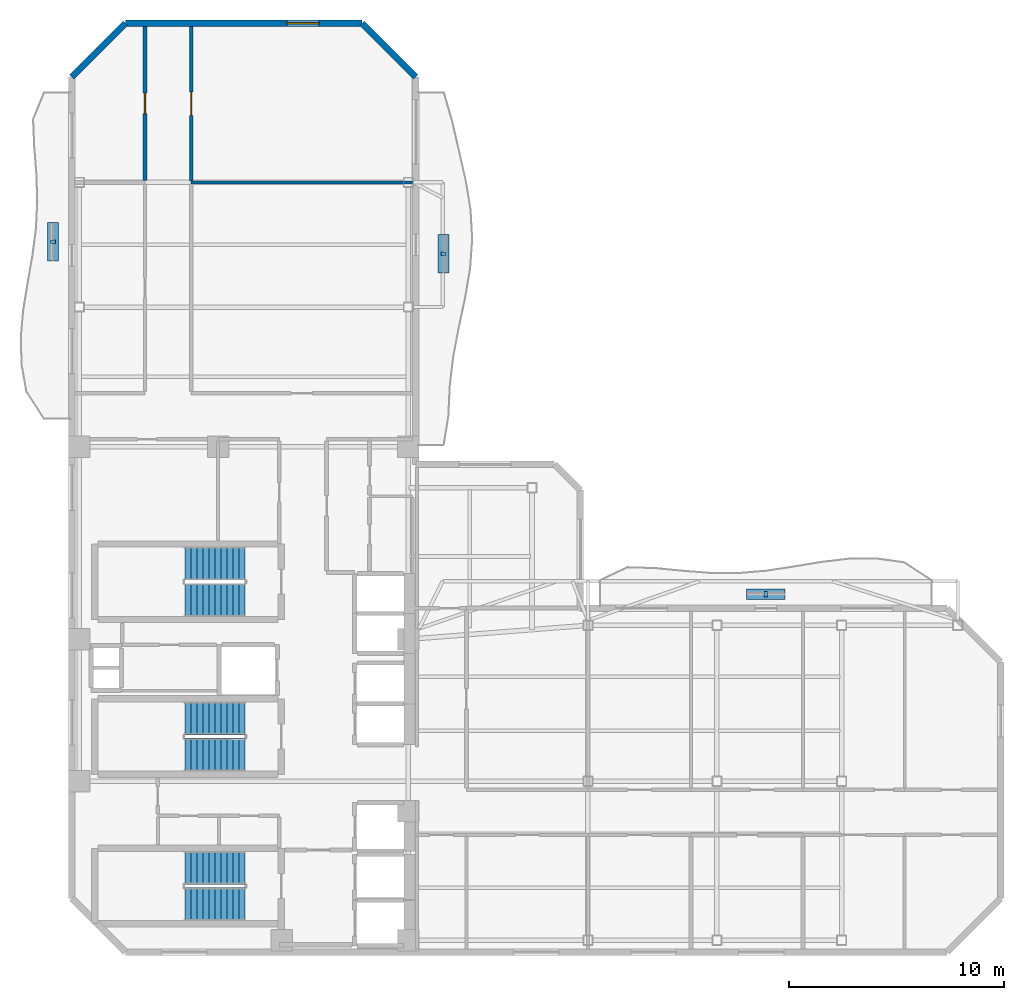
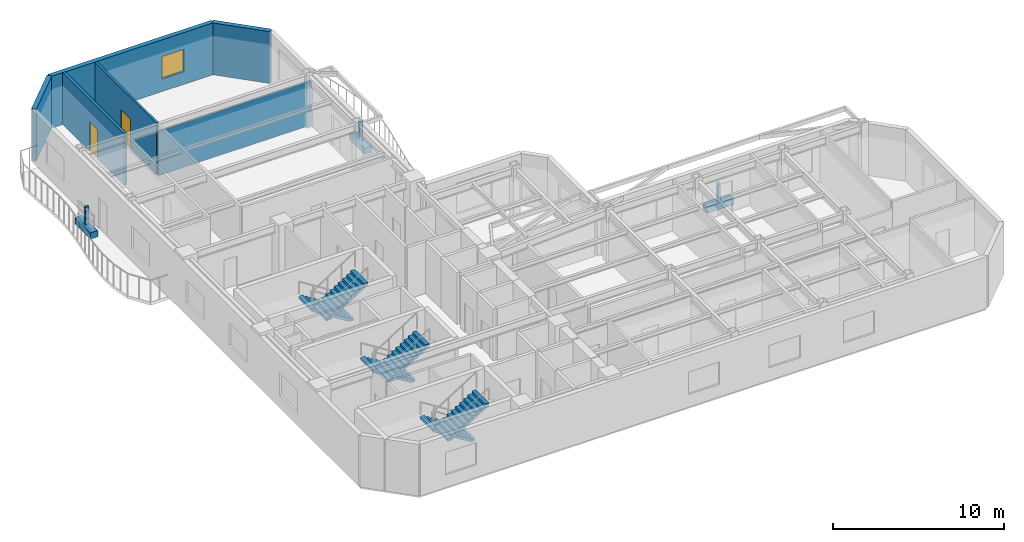
# One storey, part 6 of 9: 6 discrete accessories, 6 stair flights, 6 walls, 2 doors, 1 window, 3 openings, 3 elements without a shape of their own.
"""IFC4 building model written with IfcOpenShell, lengths in metres."""

from ifc_helpers import new_model, si_unit, direction, frame, frame_2d, origin, origin_2d, place, context, subcontext, project, spatial, polyline, rectangle, outline, extrude, material, layer, layer_set, type_object, element, fill, aggregate, save


model = new_model("IFC4")

# Units and contexts
model_context = context("Model", 3, precision=1e-05, world=origin(), true_north=direction((0.0, 1.0)))
body_context = subcontext(model_context, "Body", "Model", "MODEL_VIEW")
ifc_project = project(units=[si_unit("LENGTHUNIT", "METRE"), si_unit("AREAUNIT", "SQUARE_METRE"), si_unit("VOLUMEUNIT", "CUBIC_METRE"), si_unit("PLANEANGLEUNIT", "RADIAN"), si_unit("MASSUNIT", "GRAM", prefix="KILO")], contexts=[model_context])

# Site, building, storey
site_placement = place(None, origin())
site = spatial("IfcSite", under=ifc_project, at=site_placement, CompositionType="ELEMENT")
building_placement = place(site_placement, origin())
building = spatial("IfcBuilding", under=site, at=building_placement, Name="Mawjaban Terraces University", CompositionType="ELEMENT")
storey_placement = place(building_placement, frame((0.0, 0.0, 210.89990234375)))
storey = spatial("IfcBuildingStorey", under=building, at=storey_placement, Name="L51", CompositionType="ELEMENT", Elevation=210.89990234375)

# Wall, opening, door
ifc_material_1 = material(Name="Acoustic masonry blockwork", Category="masonry")
ifc_layer_1 = layer(ifc_material_1, 0.179931640625)
ifc_layer_set_1 = layer_set([ifc_layer_1], Name="Acoustic masonry blockwork")
wall_type_1 = type_object("IfcWallType", Name="AcousticStudioWall_180", PredefinedType="PARTITIONING", material=ifc_layer_set_1)
wall_1_placement = place(storey_placement, frame((25.39990234375, 43.054931640625, 0.0), z_axis=(0.0, 0.0, 1.0), x_axis=(0.0, -1.0, 0.0)))
wall_1 = element("IfcWall", 1, at=wall_1_placement, inside=storey, type_object=wall_type_1, Name="L51 West Shifted Academic Corridor Partition 32", PredefinedType="PARTITIONING", context=body_context, shape_type="SweptSolid", body=[
    extrude(rectangle(XDim=7.169921875, YDim=0.179931640625, at=frame_2d((3.5849609375, 0.0))), origin(), (0.0, 0.0, 1.0), 3.690185546875),
])
opening_1_placement = place(wall_1_placement, frame((3.110107421875, 0.0, 0.0)))
opening_1 = element("IfcOpeningElement", 2, at=opening_1_placement, cuts=wall_1, Name="Opening ID-095", PredefinedType="OPENING", context=body_context, shape_type="SweptSolid", body=[
    extrude(rectangle(XDim=0.949951171875, YDim=2.10009765625, at=frame_2d((0.47509765625, 1.050048828125))), frame((0.0, 0.099853515625, 0.0), z_axis=(0.0, -1.0, 0.0), x_axis=(1.0, 0.0, 0.0)), (0.0, 0.0, 1.0), 0.199951171875),
])
ifc_material_2 = material(Name="Powder-coated steel frame and solid acoustic timber leaf", Category="steel")
door_type_1 = type_object("IfcDoorType", Name="StudioDoor_950x2100", OperationType="NOTDEFINED", PredefinedType="DOOR", material=ifc_material_2)
door_1_placement = place(opening_1_placement, origin())
door_1 = element("IfcDoor", 3, at=door_1_placement, inside=storey, type_object=door_type_1, Name="L51 Design Studio 14 Door", OperationType="SINGLE_SWING_RIGHT", OverallHeight=2.10009765625, OverallWidth=0.949951171875, PredefinedType="DOOR", context=body_context, shape_type="SweptSolid", body=[
    extrude(rectangle(XDim=0.949951171875, YDim=2.10009765625, at=frame_2d((0.47509765625, 1.050048828125))), frame((0.0, 0.02490234375, 0.0), z_axis=(0.0, -1.0, 0.0), x_axis=(1.0, 0.0, 0.0)), (0.0, 0.0, 1.0), 0.050048828125),
])
fill(opening_1, door_1)

# Wall
ifc_material_3 = material(Name="Insulated terracotta rainscreen on concrete backup C40/50", Category="masonry")
ifc_layer_2 = layer(ifc_material_3, 0.300048828125)
ifc_layer_set_2 = layer_set([ifc_layer_2], Name="Insulated terracotta rainscreen on concrete backup C40/50")
wall_type_2 = type_object("IfcWallType", Name="ExtTerracottaWall_300", PredefinedType="SOLIDWALL", material=ifc_layer_set_2)
wall_2_placement = place(storey_placement, frame((38.0, 40.699951171875, 0.0), z_axis=(0.0, 0.0, 1.0), x_axis=(-0.707106781187, 0.707106781187, 0.0)))
element("IfcWall", 4, at=wall_2_placement, inside=storey, type_object=wall_type_2, Name="L51 Exterior Terracotta Wall 10", PredefinedType="SOLIDWALL", context=body_context, shape_type="SweptSolid", body=[
    extrude(rectangle(XDim=3.53564453125, YDim=0.300048828125, at=frame_2d((1.767822265625, 0.0))), origin(), (0.0, 0.0, 1.0), 3.690185546875),
])

# Wall, opening, window
wall_3_placement = place(storey_placement, frame((35.5, 43.199951171875, 0.0), z_axis=(0.0, 0.0, 1.0), x_axis=(-1.0, 0.0, 0.0)))
wall_3 = element("IfcWall", 5, at=wall_3_placement, inside=storey, type_object=wall_type_2, Name="L51 Exterior Terracotta Wall 11", PredefinedType="SOLIDWALL", context=body_context, shape_type="SweptSolid", body=[
    extrude(rectangle(XDim=11.0, YDim=0.300048828125, at=frame_2d((5.5, 0.0))), origin(), (0.0, 0.0, 1.0), 3.690185546875),
])
opening_2_placement = place(wall_3_placement, frame((2.0, 0.0, 0.89990234375)))
opening_2 = element("IfcOpeningElement", 6, at=opening_2_placement, cuts=wall_3, Name="Opening W-02", PredefinedType="OPENING", context=body_context, shape_type="SweptSolid", body=[
    extrude(rectangle(XDim=1.5, YDim=1.60009765625, at=frame_2d((0.75, 0.800048828125))), frame((0.0, 0.159912109375, 0.0), z_axis=(0.0, -1.0, 0.0), x_axis=(1.0, 0.0, 0.0)), (0.0, 0.0, 1.0), 0.320068359375),
])
ifc_material_4 = material(Name="Low-E solar-control double glazing in thermally broken aluminium frame", Category="aluminium")
window_type = type_object("IfcWindowType", Name="Win_1500x1600", PartitioningType="SINGLE_PANEL", PredefinedType="WINDOW", material=ifc_material_4)
window_placement = place(opening_2_placement, origin())
window = element("IfcWindow", 7, at=window_placement, inside=storey, type_object=window_type, Name="L51 Facade Window 11.1", OverallHeight=1.60009765625, OverallWidth=1.5, PartitioningType="SINGLE_PANEL", PredefinedType="WINDOW", context=body_context, shape_type="SweptSolid", body=[
    extrude(rectangle(XDim=1.5, YDim=1.60009765625, at=frame_2d((0.75, 0.800048828125))), frame((0.0, 0.030029296875, 0.0), z_axis=(0.0, -1.0, 0.0), x_axis=(1.0, 0.0, 0.0)), (0.0, 0.0, 1.0), 0.06005859375),
])
fill(opening_2, window)

# Walls
wall_4_placement = place(storey_placement, frame((24.5, 43.199951171875, 0.0), z_axis=(0.0, 0.0, 1.0), x_axis=(-0.707106781187, -0.707106781187, 0.0)))
element("IfcWall", 8, at=wall_4_placement, inside=storey, type_object=wall_type_2, Name="L51 Exterior Terracotta Wall 12", PredefinedType="SOLIDWALL", context=body_context, shape_type="SweptSolid", body=[
    extrude(rectangle(XDim=3.53564453125, YDim=0.300048828125, at=frame_2d((1.767822265625, 0.0))), origin(), (0.0, 0.0, 1.0), 3.690185546875),
])
ifc_material_5 = material(Name="Moisture-resistant gypsum board on steel stud", Category="steel")
ifc_layer_3 = layer(ifc_material_5, 0.14501953125)
ifc_layer_set_3 = layer_set([ifc_layer_3], Name="Moisture-resistant gypsum board on steel stud")
wall_type_3 = type_object("IfcWallType", Name="LabPartition_145", PredefinedType="PARTITIONING", material=ifc_layer_set_3)
wall_5_placement = place(storey_placement, frame((37.85009765625, 35.800048828125, 0.0), z_axis=(0.0, 0.0, 1.0), x_axis=(-1.0, 0.0, 0.0)))
element("IfcWall", 9, at=wall_5_placement, inside=storey, type_object=wall_type_3, Name="L51 Classroom 13 Partition 16", PredefinedType="PARTITIONING", context=body_context, shape_type="SweptSolid", body=[
    extrude(rectangle(XDim=10.300048828125, YDim=0.14501953125, at=frame_2d((5.14990234375, 0.0))), origin(), (0.0, 0.0, 1.0), 3.14599609375),
])

# Wall, opening, door
wall_6_placement = place(storey_placement, frame((27.550048828125, 35.866943359375, 0.0), z_axis=(0.0, 0.0, 1.0), x_axis=(0.0, 1.0, 0.0)))
wall_6 = element("IfcWall", 10, at=wall_6_placement, inside=storey, type_object=wall_type_3, Name="L51 West Shifted Academic Corridor Partition 36", PredefinedType="PARTITIONING", context=body_context, shape_type="SweptSolid", body=[
    extrude(rectangle(XDim=7.18798828125, YDim=0.14501953125, at=frame_2d((3.593994140625, 0.0))), origin(), (0.0, 0.0, 1.0), 3.690185546875),
])
opening_3_placement = place(wall_6_placement, frame((3.0439453125, 0.0, 0.0)))
opening_3 = element("IfcOpeningElement", 11, at=opening_3_placement, cuts=wall_6, Name="Opening ID-110", PredefinedType="OPENING", context=body_context, shape_type="SweptSolid", body=[
    extrude(rectangle(XDim=1.10009765625, YDim=2.14990234375, at=frame_2d((0.550048828125, 1.074951171875))), frame((0.0, 0.08251953125, 0.0), z_axis=(0.0, -1.0, 0.0), x_axis=(1.0, 0.0, 0.0)), (0.0, 0.0, 1.0), 0.1650390625),
])
door_type_2 = type_object("IfcDoorType", Name="LabDoor_1100x2150", OperationType="NOTDEFINED", PredefinedType="DOOR", material=ifc_material_2)
door_2_placement = place(opening_3_placement, origin())
door_2 = element("IfcDoor", 12, at=door_2_placement, inside=storey, type_object=door_type_2, Name="L51 Computational Laboratory 15 Door", OperationType="SINGLE_SWING_LEFT", OverallHeight=2.14990234375, OverallWidth=1.10009765625, PredefinedType="DOOR", context=body_context, shape_type="SweptSolid", body=[
    extrude(rectangle(XDim=1.10009765625, YDim=2.14990234375, at=frame_2d((0.550048828125, 1.074951171875))), frame((0.0, 0.02490234375, 0.0), z_axis=(0.0, -1.0, 0.0), x_axis=(1.0, 0.0, 0.0)), (0.0, 0.0, 1.0), 0.050048828125),
])
fill(opening_3, door_2)

# Stair, stair flights
ifc_material_6 = material(Name="Concrete C40/50", Category="concrete")
stair_type = type_object("IfcStairType", Name="Stair_Core1550_H39", PredefinedType="HALF_TURN_STAIR", material=ifc_material_6)
stair_1_placement = place(storey_placement, origin())
stair_1 = element("IfcStair", 13, at=stair_1_placement, inside=storey, type_object=stair_type, Name="L51 Core Exit Stair 1", PredefinedType="HALF_TURN_STAIR")
stair_flight_type = type_object("IfcStairFlightType", Name="Flight_Core1550_H39", PredefinedType="STRAIGHT", material=ifc_material_6)
stair_flight_1_placement = place(storey_placement, frame((30.050048828125, 3.925048828125, 0.0), z_axis=(0.0, 0.0, 1.0), x_axis=(-1.0, 0.0, 0.0)))
stair_flight_1 = element("IfcStairFlight", 14, at=stair_flight_1_placement, type_object=stair_flight_type, Name="ST-1 flight 1", NumberOfRisers=11, NumberOfTreads=10, PredefinedType="STRAIGHT", RiserHeight=0.177272727, TreadLength=0.28, context=body_context, shape_type="SweptSolid", body=[
    extrude(outline(polyline([(0.0, 0.0), (0.0, 0.17724609375), (0.280029296875, 0.17724609375), (0.280029296875, 0.3544921875), (0.56005859375, 0.3544921875), (0.56005859375, 0.53173828125), (0.840087890625, 0.53173828125), (0.840087890625, 0.708984375), (1.1201171875, 0.708984375), (1.1201171875, 0.886474609375), (1.39990234375, 0.886474609375), (1.39990234375, 1.063720703125), (1.679931640625, 1.063720703125), (1.679931640625, 1.240966796875), (1.9599609375, 1.240966796875), (1.9599609375, 1.418212890625), (2.239990234375, 1.418212890625), (2.239990234375, 1.595458984375), (2.52001953125, 1.595458984375), (2.52001953125, 1.772705078125), (2.800048828125, 1.772705078125), (2.800048828125, 1.949951171875), (2.800048828125, 1.59521484375), (0.2802734375, 0.0), (0.0, 0.0)])), frame((0.0, 0.77490234375, 0.0), z_axis=(0.0, -1.0, 0.0), x_axis=(1.0, 0.0, 0.0)), (0.0, 0.0, 1.0), 1.550048828125),
])
stair_flight_2_placement = place(storey_placement, frame((27.25, 2.22509765625, 1.9501953125), z_axis=(0.0, 0.0, 1.0), x_axis=(1.0, 0.0, 0.0)))
stair_flight_2 = element("IfcStairFlight", 15, at=stair_flight_2_placement, type_object=stair_flight_type, Name="ST-1 flight 2", NumberOfRisers=11, NumberOfTreads=10, PredefinedType="STRAIGHT", RiserHeight=0.177272727, TreadLength=0.28, context=body_context, shape_type="SweptSolid", body=[
    extrude(outline(polyline([(0.0, 0.0), (0.0, 0.17724609375), (0.280029296875, 0.17724609375), (0.280029296875, 0.3544921875), (0.56005859375, 0.3544921875), (0.56005859375, 0.53173828125), (0.840087890625, 0.53173828125), (0.840087890625, 0.708984375), (1.1201171875, 0.708984375), (1.1201171875, 0.886474609375), (1.39990234375, 0.886474609375), (1.39990234375, 1.063720703125), (1.679931640625, 1.063720703125), (1.679931640625, 1.240966796875), (1.9599609375, 1.240966796875), (1.9599609375, 1.418212890625), (2.239990234375, 1.418212890625), (2.239990234375, 1.595458984375), (2.52001953125, 1.595458984375), (2.52001953125, 1.772705078125), (2.800048828125, 1.772705078125), (2.800048828125, 1.949951171875), (2.800048828125, 1.59521484375), (0.2802734375, 0.0), (0.0, 0.0)])), frame((0.0, 0.77490234375, 0.0), z_axis=(0.0, -1.0, 0.0), x_axis=(1.0, 0.0, 0.0)), (0.0, 0.0, 1.0), 1.550048828125),
])
aggregate(stair_1, [stair_flight_1, stair_flight_2])

stair_2_placement = place(storey_placement, origin())
stair_2 = element("IfcStair", 16, at=stair_2_placement, inside=storey, type_object=stair_type, Name="L51 Core Exit Stair 2", PredefinedType="HALF_TURN_STAIR")
stair_flight_3_placement = place(storey_placement, frame((30.050048828125, 18.074951171875, 0.0), z_axis=(0.0, 0.0, 1.0), x_axis=(-1.0, 0.0, 0.0)))
stair_flight_3 = element("IfcStairFlight", 17, at=stair_flight_3_placement, type_object=stair_flight_type, Name="ST-2 flight 1", NumberOfRisers=11, NumberOfTreads=10, PredefinedType="STRAIGHT", RiserHeight=0.177272727, TreadLength=0.28, context=body_context, shape_type="SweptSolid", body=[
    extrude(outline(polyline([(0.0, 0.0), (0.0, 0.17724609375), (0.280029296875, 0.17724609375), (0.280029296875, 0.3544921875), (0.56005859375, 0.3544921875), (0.56005859375, 0.53173828125), (0.840087890625, 0.53173828125), (0.840087890625, 0.708984375), (1.1201171875, 0.708984375), (1.1201171875, 0.886474609375), (1.39990234375, 0.886474609375), (1.39990234375, 1.063720703125), (1.679931640625, 1.063720703125), (1.679931640625, 1.240966796875), (1.9599609375, 1.240966796875), (1.9599609375, 1.418212890625), (2.239990234375, 1.418212890625), (2.239990234375, 1.595458984375), (2.52001953125, 1.595458984375), (2.52001953125, 1.772705078125), (2.800048828125, 1.772705078125), (2.800048828125, 1.949951171875), (2.800048828125, 1.59521484375), (0.2802734375, 0.0), (0.0, 0.0)])), frame((0.0, 0.77490234375, 0.0), z_axis=(0.0, -1.0, 0.0), x_axis=(1.0, 0.0, 0.0)), (0.0, 0.0, 1.0), 1.550048828125),
])
stair_flight_4_placement = place(storey_placement, frame((27.25, 16.375, 1.9501953125), z_axis=(0.0, 0.0, 1.0), x_axis=(1.0, 0.0, 0.0)))
stair_flight_4 = element("IfcStairFlight", 18, at=stair_flight_4_placement, type_object=stair_flight_type, Name="ST-2 flight 2", NumberOfRisers=11, NumberOfTreads=10, PredefinedType="STRAIGHT", RiserHeight=0.177272727, TreadLength=0.28, context=body_context, shape_type="SweptSolid", body=[
    extrude(outline(polyline([(0.0, 0.0), (0.0, 0.17724609375), (0.280029296875, 0.17724609375), (0.280029296875, 0.3544921875), (0.56005859375, 0.3544921875), (0.56005859375, 0.53173828125), (0.840087890625, 0.53173828125), (0.840087890625, 0.708984375), (1.1201171875, 0.708984375), (1.1201171875, 0.886474609375), (1.39990234375, 0.886474609375), (1.39990234375, 1.063720703125), (1.679931640625, 1.063720703125), (1.679931640625, 1.240966796875), (1.9599609375, 1.240966796875), (1.9599609375, 1.418212890625), (2.239990234375, 1.418212890625), (2.239990234375, 1.595458984375), (2.52001953125, 1.595458984375), (2.52001953125, 1.772705078125), (2.800048828125, 1.772705078125), (2.800048828125, 1.949951171875), (2.800048828125, 1.59521484375), (0.2802734375, 0.0), (0.0, 0.0)])), frame((0.0, 0.77490234375, 0.0), z_axis=(0.0, -1.0, 0.0), x_axis=(1.0, 0.0, 0.0)), (0.0, 0.0, 1.0), 1.550048828125),
])
aggregate(stair_2, [stair_flight_3, stair_flight_4])

stair_3_placement = place(storey_placement, origin())
stair_3 = element("IfcStair", 19, at=stair_3_placement, inside=storey, type_object=stair_type, Name="L51 Core Exit Stair 3", PredefinedType="HALF_TURN_STAIR")
stair_flight_5_placement = place(storey_placement, frame((30.050048828125, 10.875, 0.0), z_axis=(0.0, 0.0, 1.0), x_axis=(-1.0, 0.0, 0.0)))
stair_flight_5 = element("IfcStairFlight", 20, at=stair_flight_5_placement, type_object=stair_flight_type, Name="ST-3 flight 1", NumberOfRisers=11, NumberOfTreads=10, PredefinedType="STRAIGHT", RiserHeight=0.177272727, TreadLength=0.28, context=body_context, shape_type="SweptSolid", body=[
    extrude(outline(polyline([(0.0, 0.0), (0.0, 0.17724609375), (0.280029296875, 0.17724609375), (0.280029296875, 0.3544921875), (0.56005859375, 0.3544921875), (0.56005859375, 0.53173828125), (0.840087890625, 0.53173828125), (0.840087890625, 0.708984375), (1.1201171875, 0.708984375), (1.1201171875, 0.886474609375), (1.39990234375, 0.886474609375), (1.39990234375, 1.063720703125), (1.679931640625, 1.063720703125), (1.679931640625, 1.240966796875), (1.9599609375, 1.240966796875), (1.9599609375, 1.418212890625), (2.239990234375, 1.418212890625), (2.239990234375, 1.595458984375), (2.52001953125, 1.595458984375), (2.52001953125, 1.772705078125), (2.800048828125, 1.772705078125), (2.800048828125, 1.949951171875), (2.800048828125, 1.59521484375), (0.2802734375, 0.0), (0.0, 0.0)])), frame((0.0, 0.77490234375, 0.0), z_axis=(0.0, -1.0, 0.0), x_axis=(1.0, 0.0, 0.0)), (0.0, 0.0, 1.0), 1.550048828125),
])
stair_flight_6_placement = place(storey_placement, frame((27.25, 9.175048828125, 1.9501953125), z_axis=(0.0, 0.0, 1.0), x_axis=(1.0, 0.0, 0.0)))
stair_flight_6 = element("IfcStairFlight", 21, at=stair_flight_6_placement, type_object=stair_flight_type, Name="ST-3 flight 2", NumberOfRisers=11, NumberOfTreads=10, PredefinedType="STRAIGHT", RiserHeight=0.177272727, TreadLength=0.28, context=body_context, shape_type="SweptSolid", body=[
    extrude(outline(polyline([(0.0, 0.0), (0.0, 0.17724609375), (0.280029296875, 0.17724609375), (0.280029296875, 0.3544921875), (0.56005859375, 0.3544921875), (0.56005859375, 0.53173828125), (0.840087890625, 0.53173828125), (0.840087890625, 0.708984375), (1.1201171875, 0.708984375), (1.1201171875, 0.886474609375), (1.39990234375, 0.886474609375), (1.39990234375, 1.063720703125), (1.679931640625, 1.063720703125), (1.679931640625, 1.240966796875), (1.9599609375, 1.240966796875), (1.9599609375, 1.418212890625), (2.239990234375, 1.418212890625), (2.239990234375, 1.595458984375), (2.52001953125, 1.595458984375), (2.52001953125, 1.772705078125), (2.800048828125, 1.772705078125), (2.800048828125, 1.949951171875), (2.800048828125, 1.59521484375), (0.2802734375, 0.0), (0.0, 0.0)])), frame((0.0, 0.77490234375, 0.0), z_axis=(0.0, -1.0, 0.0), x_axis=(1.0, 0.0, 0.0)), (0.0, 0.0, 1.0), 1.550048828125),
])
aggregate(stair_3, [stair_flight_5, stair_flight_6])

# Discrete accessories
ifc_material_7 = material(Name="Stainless steel 316L", Category="steel")
discrete_accessory_type_1 = type_object("IfcDiscreteAccessoryType", Name="FacadeScreenBracket_Steel", PredefinedType="BRACKET", material=ifc_material_7)
for number, where, z_axis, x_axis, name in (
    (22, (21.123046875, 33.033935546875, 0.419921875), (0.0, 0.0, 1.0), (0.0, 1.0, 0.0), "L51 Balcony Screen Support Bracket west"),
    (23, (54.27490234375, 16.64501953125, 0.419921875), (0.0, 0.0, 1.0), (1.0, 0.0, 0.0), "L51 Balcony Screen Support Bracket inner_north"),
    (24, (39.283935546875, 32.47509765625, 0.419921875), (0.0, 0.0, 1.0), (0.0, 1.0, 0.0), "L51 Balcony Screen Support Bracket inner_east"),
):
    element("IfcDiscreteAccessory", number, at=place(storey_placement, frame(where, z_axis=z_axis, x_axis=x_axis)), inside=storey, type_object=discrete_accessory_type_1, Name=name, PredefinedType="BRACKET", context=body_context, shape_type="SweptSolid", body=[
        extrude(rectangle(XDim=0.159912109375, YDim=0.239990234375, at=origin_2d()), origin(), (0.0, 0.0, 1.0), 1.300048828125),
    ])
ifc_material_8 = material(Name="Precast architectural terracotta planter with engineered planting soil", Category="masonry")
discrete_accessory_type_2 = type_object("IfcDiscreteAccessoryType", Name="IrrigatedPlanterTrough_450", PredefinedType="USERDEFINED", material=ifc_material_8)
for number, where, z_axis, x_axis, name in (
    (25, (21.123046875, 33.033935546875, -0.0048828125), (0.0, 0.0, 1.0), (0.0, 1.0, 0.0), "L51 Balcony Irrigated Planter west"),
    (26, (54.27490234375, 16.64501953125, -0.0048828125), (0.0, 0.0, 1.0), (1.0, 0.0, 0.0), "L51 Balcony Irrigated Planter inner_north"),
    (27, (39.283935546875, 32.47509765625, -0.0048828125), (0.0, 0.0, 1.0), (0.0, 1.0, 0.0), "L51 Balcony Irrigated Planter inner_east"),
):
    element("IfcDiscreteAccessory", number, at=place(storey_placement, frame(where, z_axis=z_axis, x_axis=x_axis)), inside=storey, type_object=discrete_accessory_type_2, Name=name, ObjectType="PLANTER", PredefinedType="USERDEFINED", context=body_context, shape_type="SweptSolid", body=[
        extrude(rectangle(XDim=1.800048828125, YDim=0.5, at=origin_2d()), origin(), (0.0, 0.0, 1.0), 0.449951171875),
    ])

save(model, "model.ifc")
